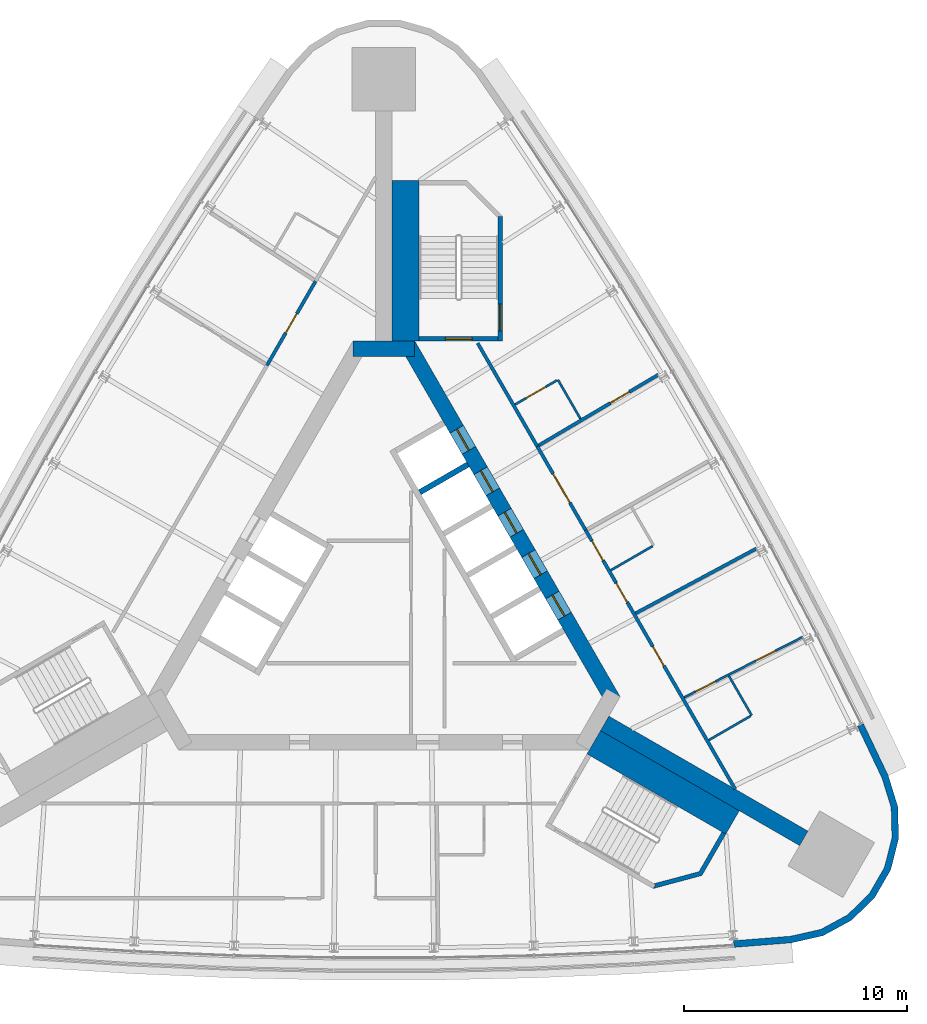
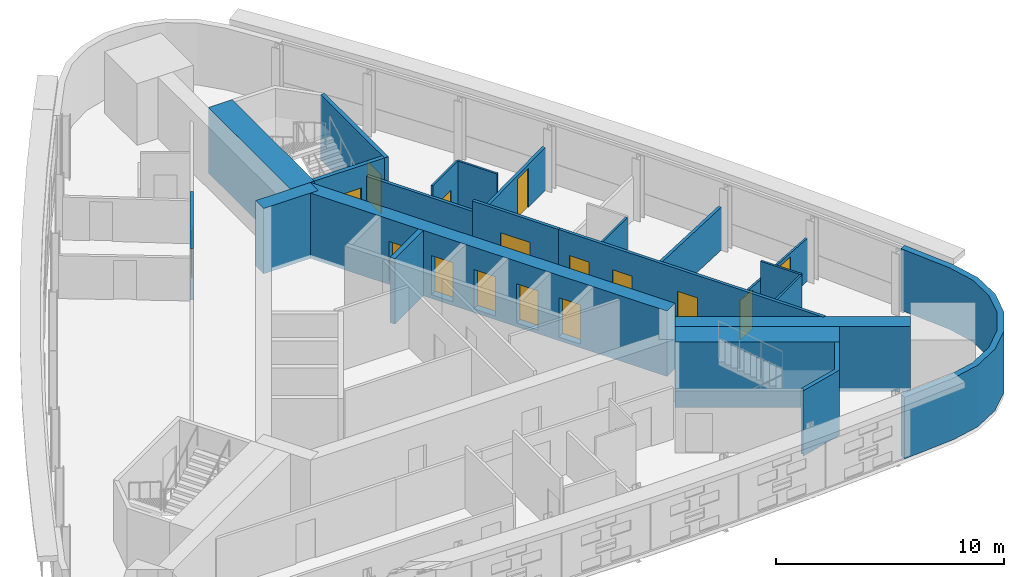
# One storey, part 9 of 12: 22 walls, 16 doors, 16 openings.
"""IFC4 building model written with IfcOpenShell, lengths in metres."""

from ifc_helpers import new_model, si_unit, direction, frame, frame_2d, origin, place, context, subcontext, project, spatial, polyline, rectangle, outline, extrude, material, layer, layer_set, type_object, element, fill, save


model = new_model("IFC4")

# Units and contexts
model_context = context("Model", 3, precision=1e-05, world=origin(), true_north=direction((0.0, 1.0)))
body_context = subcontext(model_context, "Body", "Model", "MODEL_VIEW")
ifc_project = project(units=[si_unit("LENGTHUNIT", "METRE"), si_unit("AREAUNIT", "SQUARE_METRE"), si_unit("VOLUMEUNIT", "CUBIC_METRE"), si_unit("PLANEANGLEUNIT", "RADIAN"), si_unit("MASSUNIT", "GRAM", prefix="KILO")], contexts=[model_context])

# Site, building, storey
site_placement = place(None, origin())
site = spatial("IfcSite", under=ifc_project, at=site_placement, CompositionType="ELEMENT")
building_placement = place(site_placement, origin())
building = spatial("IfcBuilding", under=site, at=building_placement, Name="Noor Cloister Tower", CompositionType="ELEMENT")
storey_placement = place(building_placement, frame((0.0, 0.0, 165.300048828125)))
storey = spatial("IfcBuildingStorey", under=building, at=storey_placement, Name="L42", CompositionType="ELEMENT", Elevation=165.300048828125)

# Wall
ifc_material_1 = material(Name="Concrete C70/85", Category="concrete")
ifc_layer_1 = layer(ifc_material_1, 0.75)
ifc_layer_set_1 = layer_set([ifc_layer_1], Name="Buttress wall 750 C70/85")
wall_type_1 = type_object("IfcWallType", Name="Buttress wall 750 C70/85", PredefinedType="SHEAR", material=ifc_layer_set_1)
wall_1_placement = place(storey_placement, frame((9.921630859375, -5.728271484375, -0.199951171875), z_axis=(0.0, 0.0, 1.0), x_axis=(0.866025410072, -0.499999989109, 0.0)))
element("IfcWall", 1, at=wall_1_placement, inside=storey, type_object=wall_type_1, Name="Buttress wall SE L42", PredefinedType="SHEAR", context=body_context, shape_type="SweptSolid", body=[
    extrude(rectangle(XDim=10.33056640625, YDim=0.75, at=frame_2d((5.165283203125, 0.0))), origin(), (0.0, 0.0, 1.0), 3.5),
])

# Wall, openings, doors
ifc_material_2 = material(Name="Concrete C70/85", Category="concrete")
ifc_layer_2 = layer(ifc_material_2, 0.699951171875)
ifc_layer_set_2 = layer_set([ifc_layer_2], Name="Core wall 700 C70/85")
wall_type_2 = type_object("IfcWallType", Name="Core wall 700 C70/85", PredefinedType="SHEAR", material=ifc_layer_set_2)
wall_2_placement = place(storey_placement, frame((10.311279296875, -4.703125, -0.199951171875), z_axis=(0.0, 0.0, 1.0), x_axis=(-0.500001446645, 0.866024568562, 0.0)))
wall_2 = element("IfcWall", 2, at=wall_2_placement, inside=storey, type_object=wall_type_2, Name="Core wall L42 3", PredefinedType="SHEAR", context=body_context, shape_type="SweptSolid", body=[
    extrude(rectangle(XDim=18.45751953125, YDim=0.699951171875, at=frame_2d((9.228759765625, 0.0))), origin(), (0.0, 0.0, 1.0), 3.5),
])
opening_1_placement = place(wall_2_placement, frame((4.378662109375, 0.0, 0.199951171875)))
opening_1 = element("IfcOpeningElement", 3, at=opening_1_placement, cuts=wall_2, Name="Opening L42-HR1", PredefinedType="OPENING", context=body_context, shape_type="SweptSolid", body=[
    extrude(rectangle(XDim=1.10009765625, YDim=2.10009765625, at=frame_2d((0.550048828125, 1.050048828125))), frame((0.0, 0.35986328125, 0.0), z_axis=(0.0, -1.0, 0.0), x_axis=(1.0, 0.0, 0.0)), (0.0, 0.0, 1.0), 0.719970703125),
])
opening_2_placement = place(wall_2_placement, frame((6.52880859375, 0.0, 0.199951171875)))
opening_2 = element("IfcOpeningElement", 4, at=opening_2_placement, cuts=wall_2, Name="Opening L42-HR2", PredefinedType="OPENING", context=body_context, shape_type="SweptSolid", body=[
    extrude(rectangle(XDim=1.10009765625, YDim=2.10009765625, at=frame_2d((0.550048828125, 1.050048828125))), frame((0.0, 0.35986328125, 0.0), z_axis=(0.0, -1.0, 0.0), x_axis=(1.0, 0.0, 0.0)), (0.0, 0.0, 1.0), 0.719970703125),
])
opening_3_placement = place(wall_2_placement, frame((8.6787109375, 0.0, 0.199951171875)))
opening_3 = element("IfcOpeningElement", 5, at=opening_3_placement, cuts=wall_2, Name="Opening L42-HR3", PredefinedType="OPENING", context=body_context, shape_type="SweptSolid", body=[
    extrude(rectangle(XDim=1.10009765625, YDim=2.10009765625, at=frame_2d((0.550048828125, 1.050048828125))), frame((0.0, 0.35986328125, 0.0), z_axis=(0.0, -1.0, 0.0), x_axis=(1.0, 0.0, 0.0)), (0.0, 0.0, 1.0), 0.719970703125),
])
opening_4_placement = place(wall_2_placement, frame((10.82861328125, 0.0, 0.199951171875)))
opening_4 = element("IfcOpeningElement", 6, at=opening_4_placement, cuts=wall_2, Name="Opening L42-HR4", PredefinedType="OPENING", context=body_context, shape_type="SweptSolid", body=[
    extrude(rectangle(XDim=1.10009765625, YDim=2.10009765625, at=frame_2d((0.550048828125, 1.050048828125))), frame((0.0, 0.35986328125, 0.0), z_axis=(0.0, -1.0, 0.0), x_axis=(1.0, 0.0, 0.0)), (0.0, 0.0, 1.0), 0.719970703125),
])
opening_5_placement = place(wall_2_placement, frame((12.978759765625, 0.0, 0.199951171875)))
opening_5 = element("IfcOpeningElement", 7, at=opening_5_placement, cuts=wall_2, Name="Opening L42-HR5", PredefinedType="OPENING", context=body_context, shape_type="SweptSolid", body=[
    extrude(rectangle(XDim=1.10009765625, YDim=2.10009765625, at=frame_2d((0.550048828125, 1.050048828125))), frame((0.0, 0.35986328125, 0.0), z_axis=(0.0, -1.0, 0.0), x_axis=(1.0, 0.0, 0.0)), (0.0, 0.0, 1.0), 0.719970703125),
])
ifc_material_3 = material(Name="Stainless steel", Category="steel")
door_type_1 = type_object("IfcDoorType", Name="Lift landing door 1100 x 2100", OperationType="DOUBLE_DOOR_SLIDING", PredefinedType="DOOR", material=ifc_material_3)
door_1_placement = place(opening_1_placement, origin())
door_1 = element("IfcDoor", 8, at=door_1_placement, inside=storey, type_object=door_type_1, Name="Landing door HR1 L42", OperationType="DOUBLE_DOOR_SLIDING", OverallHeight=2.10009765625, OverallWidth=1.10009765625, PredefinedType="DOOR", context=body_context, shape_type="SweptSolid", body=[
    extrude(rectangle(XDim=1.10009765625, YDim=2.10009765625, at=frame_2d((0.550048828125, 1.050048828125))), frame((0.0, 0.02490234375, 0.0), z_axis=(0.0, -1.0, 0.0), x_axis=(1.0, 0.0, 0.0)), (0.0, 0.0, 1.0), 0.050048828125),
])
fill(opening_1, door_1)
door_2_placement = place(opening_2_placement, origin())
door_2 = element("IfcDoor", 9, at=door_2_placement, inside=storey, type_object=door_type_1, Name="Landing door HR2 L42", OperationType="DOUBLE_DOOR_SLIDING", OverallHeight=2.10009765625, OverallWidth=1.10009765625, PredefinedType="DOOR", context=body_context, shape_type="SweptSolid", body=[
    extrude(rectangle(XDim=1.10009765625, YDim=2.10009765625, at=frame_2d((0.550048828125, 1.050048828125))), frame((0.0, 0.02490234375, 0.0), z_axis=(0.0, -1.0, 0.0), x_axis=(1.0, 0.0, 0.0)), (0.0, 0.0, 1.0), 0.050048828125),
])
fill(opening_2, door_2)
door_3_placement = place(opening_3_placement, origin())
door_3 = element("IfcDoor", 10, at=door_3_placement, inside=storey, type_object=door_type_1, Name="Landing door HR3 L42", OperationType="DOUBLE_DOOR_SLIDING", OverallHeight=2.10009765625, OverallWidth=1.10009765625, PredefinedType="DOOR", context=body_context, shape_type="SweptSolid", body=[
    extrude(rectangle(XDim=1.10009765625, YDim=2.10009765625, at=frame_2d((0.550048828125, 1.050048828125))), frame((0.0, 0.02490234375, 0.0), z_axis=(0.0, -1.0, 0.0), x_axis=(1.0, 0.0, 0.0)), (0.0, 0.0, 1.0), 0.050048828125),
])
fill(opening_3, door_3)
door_4_placement = place(opening_4_placement, origin())
door_4 = element("IfcDoor", 11, at=door_4_placement, inside=storey, type_object=door_type_1, Name="Landing door HR4 L42", OperationType="DOUBLE_DOOR_SLIDING", OverallHeight=2.10009765625, OverallWidth=1.10009765625, PredefinedType="DOOR", context=body_context, shape_type="SweptSolid", body=[
    extrude(rectangle(XDim=1.10009765625, YDim=2.10009765625, at=frame_2d((0.550048828125, 1.050048828125))), frame((0.0, 0.02490234375, 0.0), z_axis=(0.0, -1.0, 0.0), x_axis=(1.0, 0.0, 0.0)), (0.0, 0.0, 1.0), 0.050048828125),
])
fill(opening_4, door_4)
door_5_placement = place(opening_5_placement, origin())
door_5 = element("IfcDoor", 12, at=door_5_placement, inside=storey, type_object=door_type_1, Name="Landing door HR5 L42", OperationType="DOUBLE_DOOR_SLIDING", OverallHeight=2.10009765625, OverallWidth=1.10009765625, PredefinedType="DOOR", context=body_context, shape_type="SweptSolid", body=[
    extrude(rectangle(XDim=1.10009765625, YDim=2.10009765625, at=frame_2d((0.550048828125, 1.050048828125))), frame((0.0, 0.02490234375, 0.0), z_axis=(0.0, -1.0, 0.0), x_axis=(1.0, 0.0, 0.0)), (0.0, 0.0, 1.0), 0.050048828125),
])
fill(opening_5, door_5)

# Wall
wall_3_placement = place(storey_placement, frame((1.3857421875, 11.1064453125, -0.199951171875), z_axis=(0.0, 0.0, 1.0), x_axis=(-1.0, 0.0, 0.0)))
element("IfcWall", 13, at=wall_3_placement, inside=storey, type_object=wall_type_2, Name="Core wall L42 4", PredefinedType="SHEAR", context=body_context, shape_type="SweptSolid", body=[
    extrude(rectangle(XDim=2.771484375, YDim=0.699951171875, at=frame_2d((1.3857421875, 0.0))), origin(), (0.0, 0.0, 1.0), 3.5),
])

# Wall, opening, door
ifc_material_4 = material(Name="Fire-rated gypsum board partition on steel studs, 150 mm", Category="steel")
ifc_layer_3 = layer(ifc_material_4, 0.14990234375)
ifc_layer_set_3 = layer_set([ifc_layer_3], Name="Fire lobby wall 150")
wall_type_3 = type_object("IfcWallType", Name="Fire lobby wall 150", PredefinedType="PARTITIONING", material=ifc_layer_set_3)
wall_4_placement = place(storey_placement, frame((-3.06884765625, 14.140869140625, 0.0), z_axis=(0.0, 0.0, 1.0), x_axis=(-0.500015937133, -0.866016202281, 0.0)))
wall_4 = element("IfcWall", 14, at=wall_4_placement, inside=storey, type_object=wall_type_3, Name="Wall L42-W28", PredefinedType="PARTITIONING", context=body_context, shape_type="SweptSolid", body=[
    extrude(rectangle(XDim=4.368408203125, YDim=0.14990234375, at=frame_2d((2.18408203125, 0.0))), origin(), (0.0, 0.0, 1.0), 2.7470703125),
])
opening_6_placement = place(wall_4_placement, frame((1.684326171875, 0.0, 0.0)))
opening_6 = element("IfcOpeningElement", 15, at=opening_6_placement, cuts=wall_4, Name="Opening L42-016", PredefinedType="OPENING", context=body_context, shape_type="SweptSolid", body=[
    extrude(rectangle(XDim=1.0, YDim=2.10009765625, at=frame_2d((0.5, 1.050048828125))), frame((0.0, 0.0849609375, 0.0), z_axis=(0.0, -1.0, 0.0), x_axis=(1.0, 0.0, 0.0)), (0.0, 0.0, 1.0), 0.169921875),
])
ifc_material_5 = material(Name="Timber door leaf with steel frame", Category="steel")
door_type_2 = type_object("IfcDoorType", Name="Fire lobby door 1000", OperationType="NOTDEFINED", PredefinedType="DOOR", material=ifc_material_5)
door_6_placement = place(opening_6_placement, origin())
door_6 = element("IfcDoor", 16, at=door_6_placement, inside=storey, type_object=door_type_2, Name="Door L42-016", OperationType="SINGLE_SWING_RIGHT", OverallHeight=2.10009765625, OverallWidth=1.0, PredefinedType="DOOR", context=body_context, shape_type="SweptSolid", body=[
    extrude(rectangle(XDim=1.0, YDim=2.10009765625, at=frame_2d((0.5, 1.050048828125))), frame((0.0, 0.02490234375, 0.0), z_axis=(0.0, -1.0, 0.0), x_axis=(1.0, 0.0, 0.0)), (0.0, 0.0, 1.0), 0.050048828125),
])
fill(opening_6, door_6)

# Wall, openings, doors
ifc_material_6 = material(Name="Gypsum board partition on steel studs, 150 mm", Category="steel")
ifc_layer_4 = layer(ifc_material_6, 0.14990234375)
ifc_layer_set_4 = layer_set([ifc_layer_4], Name="Flat wall 150")
wall_type_4 = type_object("IfcWallType", Name="Flat wall 150", PredefinedType="PARTITIONING", material=ifc_layer_set_4)
wall_5_placement = place(storey_placement, frame((15.781982421875, -8.6787109375, 0.0), z_axis=(0.0, 0.0, 1.0), x_axis=(-0.499998343211, 0.86602636033, 0.0)))
wall_5 = element("IfcWall", 17, at=wall_5_placement, inside=storey, type_object=wall_type_4, Name="Wall L42-W01", PredefinedType="PARTITIONING", context=body_context, shape_type="SweptSolid", body=[
    extrude(rectangle(XDim=13.4306640625, YDim=0.14990234375, at=frame_2d((6.71533203125, 0.0))), origin(), (0.0, 0.0, 1.0), 3.300048828125),
])
opening_7_placement = place(wall_5_placement, frame((6.39599609375, 0.0, 0.0)))
opening_7 = element("IfcOpeningElement", 18, at=opening_7_placement, cuts=wall_5, Name="Opening L42-004", PredefinedType="OPENING", context=body_context, shape_type="SweptSolid", body=[
    extrude(rectangle(XDim=1.0, YDim=2.10009765625, at=frame_2d((0.5, 1.050048828125))), frame((0.0, 0.0849609375, 0.0), z_axis=(0.0, -1.0, 0.0), x_axis=(1.0, 0.0, 0.0)), (0.0, 0.0, 1.0), 0.169921875),
])
opening_8_placement = place(wall_5_placement, frame((11.86865234375, 0.0, 0.0)))
opening_8 = element("IfcOpeningElement", 19, at=opening_8_placement, cuts=wall_5, Name="Opening L42-005", PredefinedType="OPENING", context=body_context, shape_type="SweptSolid", body=[
    extrude(rectangle(XDim=1.0, YDim=2.10009765625, at=frame_2d((0.5, 1.050048828125))), frame((0.0, 0.0849609375, 0.0), z_axis=(0.0, -1.0, 0.0), x_axis=(1.0, 0.0, 0.0)), (0.0, 0.0, 1.0), 0.169921875),
])
opening_9_placement = place(wall_5_placement, frame((9.69140625, 0.0, 0.0)))
opening_9 = element("IfcOpeningElement", 20, at=opening_9_placement, cuts=wall_5, Name="Opening L42-006", PredefinedType="OPENING", context=body_context, shape_type="SweptSolid", body=[
    extrude(rectangle(XDim=1.0, YDim=2.10009765625, at=frame_2d((0.5, 1.050048828125))), frame((0.0, 0.0849609375, 0.0), z_axis=(0.0, -1.0, 0.0), x_axis=(1.0, 0.0, 0.0)), (0.0, 0.0, 1.0), 0.169921875),
])
ifc_material_7 = material(Name="Timber door leaf with steel frame", Category="steel")
door_type_3 = type_object("IfcDoorType", Name="Accessible WC door 1000", OperationType="NOTDEFINED", PredefinedType="DOOR", material=ifc_material_7)
door_7_placement = place(opening_8_placement, origin())
door_7 = element("IfcDoor", 21, at=door_7_placement, inside=storey, type_object=door_type_3, Name="Door L42-005", OperationType="SINGLE_SWING_LEFT", OverallHeight=2.10009765625, OverallWidth=1.0, PredefinedType="DOOR", context=body_context, shape_type="SweptSolid", body=[
    extrude(rectangle(XDim=1.0, YDim=2.10009765625, at=frame_2d((0.5, 1.050048828125))), frame((0.0, 0.02490234375, 0.0), z_axis=(0.0, -1.0, 0.0), x_axis=(1.0, 0.0, 0.0)), (0.0, 0.0, 1.0), 0.050048828125),
])
fill(opening_8, door_7)
ifc_material_8 = material(Name="Timber door leaf with steel frame", Category="steel")
door_type_4 = type_object("IfcDoorType", Name="Flat entrance door 1000", OperationType="NOTDEFINED", PredefinedType="DOOR", material=ifc_material_8)
door_8_placement = place(opening_7_placement, origin())
door_8 = element("IfcDoor", 22, at=door_8_placement, inside=storey, type_object=door_type_4, Name="Door L42-004", OperationType="SINGLE_SWING_RIGHT", OverallHeight=2.10009765625, OverallWidth=1.0, PredefinedType="DOOR", context=body_context, shape_type="SweptSolid", body=[
    extrude(rectangle(XDim=1.0, YDim=2.10009765625, at=frame_2d((0.5, 1.050048828125))), frame((0.0, 0.02490234375, 0.0), z_axis=(0.0, -1.0, 0.0), x_axis=(1.0, 0.0, 0.0)), (0.0, 0.0, 1.0), 0.050048828125),
])
fill(opening_7, door_8)
ifc_material_9 = material(Name="Timber door leaf with steel frame", Category="steel")
door_type_5 = type_object("IfcDoorType", Name="Interior door 1000 FD60", OperationType="NOTDEFINED", PredefinedType="DOOR", material=ifc_material_9)
door_9_placement = place(opening_9_placement, origin())
door_9 = element("IfcDoor", 23, at=door_9_placement, inside=storey, type_object=door_type_5, Name="Door L42-006", OperationType="SINGLE_SWING_RIGHT", OverallHeight=2.10009765625, OverallWidth=1.0, PredefinedType="DOOR", context=body_context, shape_type="SweptSolid", body=[
    extrude(rectangle(XDim=1.0, YDim=2.10009765625, at=frame_2d((0.5, 1.050048828125))), frame((0.0, 0.02490234375, 0.0), z_axis=(0.0, -1.0, 0.0), x_axis=(1.0, 0.0, 0.0)), (0.0, 0.0, 1.0), 0.050048828125),
])
fill(opening_9, door_9)

# Wall
wall_6_placement = place(storey_placement, frame((6.890380859375, 6.72216796875, 0.0), z_axis=(0.0, 0.0, 1.0), x_axis=(-0.500025224267, 0.866010840057, 0.0)))
element("IfcWall", 24, at=wall_6_placement, inside=storey, type_object=wall_type_4, Name="Wall L42-W02", PredefinedType="PARTITIONING", context=body_context, shape_type="SweptSolid", body=[
    extrude(rectangle(XDim=5.351318359375, YDim=0.14990234375, at=frame_2d((2.67578125, 0.0))), origin(), (0.0, 0.0, 1.0), 2.7470703125),
])

# Wall, opening, door
wall_7_placement = place(storey_placement, frame((12.3359375, 9.942626953125, 0.0), z_axis=(0.0, 0.0, 1.0), x_axis=(-0.860742216303, -0.509041095663, 0.0)))
wall_7 = element("IfcWall", 25, at=wall_7_placement, inside=storey, type_object=wall_type_4, Name="Wall L42-W04", PredefinedType="PARTITIONING", context=body_context, shape_type="SweptSolid", body=[
    extrude(rectangle(XDim=6.251708984375, YDim=0.14990234375, at=frame_2d((3.1259765625, 0.0))), origin(), (0.0, 0.0, 1.0), 2.296875),
])
opening_10_placement = place(wall_7_placement, frame((1.51318359375, 0.0, 0.0)))
opening_10 = element("IfcOpeningElement", 26, at=opening_10_placement, cuts=wall_7, Name="Opening L42-008", PredefinedType="OPENING", context=body_context, shape_type="SweptSolid", body=[
    extrude(rectangle(XDim=1.0, YDim=2.10009765625, at=frame_2d((0.5, 1.050048828125))), frame((0.0, 0.0849609375, 0.0), z_axis=(0.0, -1.0, 0.0), x_axis=(1.0, 0.0, 0.0)), (0.0, 0.0, 1.0), 0.169921875),
])
door_10_placement = place(opening_10_placement, origin())
door_10 = element("IfcDoor", 27, at=door_10_placement, inside=storey, type_object=door_type_4, Name="Door L42-008", OperationType="SINGLE_SWING_RIGHT", OverallHeight=2.10009765625, OverallWidth=1.0, PredefinedType="DOOR", context=body_context, shape_type="SweptSolid", body=[
    extrude(rectangle(XDim=1.0, YDim=2.10009765625, at=frame_2d((0.5, 1.050048828125))), frame((0.0, 0.02490234375, 0.0), z_axis=(0.0, -1.0, 0.0), x_axis=(1.0, 0.0, 0.0)), (0.0, 0.0, 1.0), 0.050048828125),
])
fill(opening_10, door_10)

wall_8_placement = place(storey_placement, frame((9.066650390625, 2.95263671875, 0.0), z_axis=(0.0, 0.0, 1.0), x_axis=(-0.499987877897, 0.866032402371, 0.0)))
wall_8 = element("IfcWall", 28, at=wall_8_placement, inside=storey, type_object=wall_type_4, Name="Wall L42-W05", PredefinedType="PARTITIONING", context=body_context, shape_type="SweptSolid", body=[
    extrude(rectangle(XDim=4.3525390625, YDim=0.14990234375, at=frame_2d((2.17626953125, 0.0))), origin(), (0.0, 0.0, 1.0), 3.300048828125),
])
opening_11_placement = place(wall_8_placement, frame((1.42626953125, 0.0, 0.0)))
opening_11 = element("IfcOpeningElement", 29, at=opening_11_placement, cuts=wall_8, Name="Opening L42-001", PredefinedType="OPENING", context=body_context, shape_type="SweptSolid", body=[
    extrude(rectangle(XDim=1.5, YDim=2.10009765625, at=frame_2d((0.75, 1.050048828125))), frame((0.0, 0.0849609375, 0.0), z_axis=(0.0, -1.0, 0.0), x_axis=(1.0, 0.0, 0.0)), (0.0, 0.0, 1.0), 0.169921875),
])
ifc_material_10 = material(Name="Timber door leaf with steel frame", Category="steel")
door_type_6 = type_object("IfcDoorType", Name="Double door 1500 FD60", OperationType="NOTDEFINED", PredefinedType="DOOR", material=ifc_material_10)
door_11_placement = place(opening_11_placement, origin())
door_11 = element("IfcDoor", 30, at=door_11_placement, inside=storey, type_object=door_type_6, Name="Door L42-001", OperationType="DOUBLE_DOOR_SINGLE_SWING", OverallHeight=2.10009765625, OverallWidth=1.5, PredefinedType="DOOR", context=body_context, shape_type="SweptSolid", body=[
    extrude(rectangle(XDim=1.5, YDim=2.10009765625, at=frame_2d((0.75, 1.050048828125))), frame((0.0, 0.02490234375, 0.0), z_axis=(0.0, -1.0, 0.0), x_axis=(1.0, 0.0, 0.0)), (0.0, 0.0, 1.0), 0.050048828125),
])
fill(opening_11, door_11)

# Walls
wall_9_placement = place(storey_placement, frame((16.74658203125, 2.132080078125, 0.0), z_axis=(0.0, 0.0, 1.0), x_axis=(-0.881303399969, -0.472550862028, 0.0)))
element("IfcWall", 31, at=wall_9_placement, inside=storey, type_object=wall_type_4, Name="Wall L42-W09", PredefinedType="PARTITIONING", context=body_context, shape_type="SweptSolid", body=[
    extrude(rectangle(XDim=6.168701171875, YDim=0.14990234375, at=frame_2d((3.08447265625, 0.0))), origin(), (0.0, 0.0, 1.0), 2.296875),
])
ifc_material_11 = material(Name="Limestone", Category="masonry")
ifc_layer_5 = layer(ifc_material_11, 0.300048828125)
ifc_layer_set_5 = layer_set([ifc_layer_5], Name="Limestone cladding 300")
wall_type_5 = type_object("IfcWallType", Name="Limestone cladding 300", PredefinedType="NOTDEFINED", material=ifc_layer_set_5)
wall_10_placement = place(storey_placement, origin())
element("IfcWall", 32, at=wall_10_placement, inside=storey, type_object=wall_type_5, Name="Limestone pier cladding L42 2.1", PredefinedType="NOTDEFINED", context=body_context, shape_type="SweptSolid", body=[
    extrude(outline(polyline([(15.73583984375, -15.79345703125), (18.326904296875, -15.58740234375), (19.739013671875, -15.267333984375), (21.011474609375, -14.576171875), (22.048583984375, -13.565673828125), (22.772705078125, -12.311767578125), (23.129150390625, -10.908447265625), (23.091552734375, -9.4609375), (22.66259765625, -8.077880859375), (21.54541015625, -5.73095703125), (21.274658203125, -5.85986328125), (22.38232421875, -8.187255859375), (22.792724609375, -9.510009765625), (22.828125, -10.874755859375), (22.491943359375, -12.19775390625), (21.8095703125, -13.3798828125), (20.831787109375, -14.33251953125), (19.63232421875, -14.984130859375), (18.281494140625, -15.2900390625), (15.712158203125, -15.494384765625), (15.73583984375, -15.79345703125)])), origin(), (0.0, 0.0, 1.0), 3.300048828125),
])

# Wall, openings, doors
ifc_material_12 = material(Name="Gypsum board partition on steel studs, 100 mm", Category="steel")
ifc_layer_6 = layer(ifc_material_12, 0.10009765625)
ifc_layer_set_6 = layer_set([ifc_layer_6], Name="Partition 100")
wall_type_6 = type_object("IfcWallType", Name="Partition 100", PredefinedType="PARTITIONING", material=ifc_layer_set_6)
wall_11_placement = place(storey_placement, frame((18.828369140625, -1.8408203125, 0.0), z_axis=(0.0, 0.0, 1.0), x_axis=(-0.891018968873, -0.453966074842, 0.0)))
wall_11 = element("IfcWall", 33, at=wall_11_placement, inside=storey, type_object=wall_type_6, Name="Wall L42-W06", PredefinedType="PARTITIONING", context=body_context, shape_type="SweptSolid", body=[
    extrude(rectangle(XDim=5.990478515625, YDim=0.10009765625, at=frame_2d((2.9951171875, 0.0))), origin(), (0.0, 0.0, 1.0), 2.296875),
])
opening_12_placement = place(wall_11_placement, frame((1.381103515625, 0.0, 0.0)))
opening_12 = element("IfcOpeningElement", 34, at=opening_12_placement, cuts=wall_11, Name="Opening L42-002", PredefinedType="OPENING", context=body_context, shape_type="SweptSolid", body=[
    extrude(rectangle(XDim=1.0, YDim=2.10009765625, at=frame_2d((0.5, 1.050048828125))), frame((0.0, 0.06005859375, 0.0), z_axis=(0.0, -1.0, 0.0), x_axis=(1.0, 0.0, 0.0)), (0.0, 0.0, 1.0), 0.1201171875),
])
opening_13_placement = place(wall_11_placement, frame((4.413818359375, 0.0, 0.0)))
opening_13 = element("IfcOpeningElement", 35, at=opening_13_placement, cuts=wall_11, Name="Opening L42-003", PredefinedType="OPENING", context=body_context, shape_type="SweptSolid", body=[
    extrude(rectangle(XDim=1.0, YDim=2.10009765625, at=frame_2d((0.5, 1.050048828125))), frame((0.0, 0.06005859375, 0.0), z_axis=(0.0, -1.0, 0.0), x_axis=(1.0, 0.0, 0.0)), (0.0, 0.0, 1.0), 0.1201171875),
])
ifc_material_13 = material(Name="Timber door leaf with steel frame", Category="steel")
door_type_7 = type_object("IfcDoorType", Name="Interior door 1000", OperationType="NOTDEFINED", PredefinedType="DOOR", material=ifc_material_13)
door_12_placement = place(opening_12_placement, origin())
door_12 = element("IfcDoor", 36, at=door_12_placement, inside=storey, type_object=door_type_7, Name="Door L42-002", OperationType="SINGLE_SWING_RIGHT", OverallHeight=2.10009765625, OverallWidth=1.0, PredefinedType="DOOR", context=body_context, shape_type="SweptSolid", body=[
    extrude(rectangle(XDim=1.0, YDim=2.10009765625, at=frame_2d((0.5, 1.050048828125))), frame((0.0, 0.02490234375, 0.0), z_axis=(0.0, -1.0, 0.0), x_axis=(1.0, 0.0, 0.0)), (0.0, 0.0, 1.0), 0.050048828125),
])
fill(opening_12, door_12)
door_13_placement = place(opening_13_placement, origin())
door_13 = element("IfcDoor", 37, at=door_13_placement, inside=storey, type_object=door_type_7, Name="Door L42-003", OperationType="SINGLE_SWING_LEFT", OverallHeight=2.10009765625, OverallWidth=1.0, PredefinedType="DOOR", context=body_context, shape_type="SweptSolid", body=[
    extrude(rectangle(XDim=1.0, YDim=2.10009765625, at=frame_2d((0.5, 1.050048828125))), frame((0.0, 0.02490234375, 0.0), z_axis=(0.0, -1.0, 0.0), x_axis=(1.0, 0.0, 0.0)), (0.0, 0.0, 1.0), 0.050048828125),
])
fill(opening_13, door_13)

# Walls
wall_12_placement = place(storey_placement, frame((15.5009765625, -3.59228515625, 0.0), z_axis=(0.0, 0.0, 1.0), x_axis=(0.500097020274, -0.865969381856, 0.0)))
element("IfcWall", 38, at=wall_12_placement, inside=storey, type_object=wall_type_6, Name="Wall L42-W07", PredefinedType="PARTITIONING", context=body_context, shape_type="SweptSolid", body=[
    extrude(rectangle(XDim=2.0498046875, YDim=0.10009765625, at=frame_2d((1.02490234375, 0.0))), origin(), (0.0, 0.0, 1.0), 3.300048828125),
])
for number, where, z_axis, x_axis, name in (
    (39, (16.482666015625, -5.392578125, 0.0), (0.0, 0.0, 1.0), (-0.866037911478, -0.499978335414, 0.0), "Wall L42-W08"),
    (40, (12.0771484375, 2.238037109375, 0.0), (0.0, 0.0, 1.0), (-0.866037911478, -0.499978335414, 0.0), "Wall L42-W11"),
):
    element("IfcWall", number, at=place(storey_placement, frame(where, z_axis=z_axis, x_axis=x_axis)), inside=storey, type_object=wall_type_6, Name=name, PredefinedType="PARTITIONING", context=body_context, shape_type="SweptSolid", body=[
        extrude(rectangle(XDim=2.1748046875, YDim=0.10009765625, at=frame_2d((1.08740234375, 0.0))), origin(), (0.0, 0.0, 1.0), 3.300048828125),
    ])
wall_13_placement = place(storey_placement, frame((8.83251953125, 7.957763671875, 0.0), z_axis=(0.0, 0.0, 1.0), x_axis=(-0.499938124251, 0.866061124818, 0.0)))
element("IfcWall", 41, at=wall_13_placement, inside=storey, type_object=wall_type_6, Name="Wall L42-W12", PredefinedType="PARTITIONING", context=body_context, shape_type="SweptSolid", body=[
    extrude(rectangle(XDim=2.025146484375, YDim=0.10009765625, at=frame_2d((1.0126953125, 0.0))), origin(), (0.0, 0.0, 1.0), 3.300048828125),
])

# Wall, opening, door
wall_14_placement = place(storey_placement, frame((7.77685546875, 9.6865234375, 0.0), z_axis=(0.0, 0.0, 1.0), x_axis=(-0.866037911478, -0.499978335414, 0.0)))
wall_14 = element("IfcWall", 42, at=wall_14_placement, inside=storey, type_object=wall_type_6, Name="Wall L42-W13", PredefinedType="PARTITIONING", context=body_context, shape_type="SweptSolid", body=[
    extrude(rectangle(XDim=2.1748046875, YDim=0.10009765625, at=frame_2d((1.08740234375, 0.0))), origin(), (0.0, 0.0, 1.0), 3.300048828125),
])
opening_14_placement = place(wall_14_placement, frame((0.60009765625, 0.0, 0.0)))
opening_14 = element("IfcOpeningElement", 43, at=opening_14_placement, cuts=wall_14, Name="Opening L42-007", PredefinedType="OPENING", context=body_context, shape_type="SweptSolid", body=[
    extrude(rectangle(XDim=1.0, YDim=2.10009765625, at=frame_2d((0.5, 1.050048828125))), frame((0.0, 0.06005859375, 0.0), z_axis=(0.0, -1.0, 0.0), x_axis=(1.0, 0.0, 0.0)), (0.0, 0.0, 1.0), 0.1201171875),
])
door_14_placement = place(opening_14_placement, origin())
door_14 = element("IfcDoor", 44, at=door_14_placement, inside=storey, type_object=door_type_7, Name="Door L42-007", OperationType="SINGLE_SWING_LEFT", OverallHeight=2.10009765625, OverallWidth=1.0, PredefinedType="DOOR", context=body_context, shape_type="SweptSolid", body=[
    extrude(rectangle(XDim=1.0, YDim=2.10009765625, at=frame_2d((0.5, 1.050048828125))), frame((0.0, 0.02490234375, 0.0), z_axis=(0.0, -1.0, 0.0), x_axis=(1.0, 0.0, 0.0)), (0.0, 0.0, 1.0), 0.050048828125),
])
fill(opening_14, door_14)

# Walls
ifc_material_14 = material(Name="Concrete C70/85", Category="concrete")
ifc_layer_7 = layer(ifc_material_14, 0.25)
ifc_layer_set_7 = layer_set([ifc_layer_7], Name="Shaft wall 250 C70/85")
wall_type_7 = type_object("IfcWallType", Name="Shaft wall 250 C70/85", PredefinedType="PARTITIONING", material=ifc_layer_set_7)
wall_15_placement = place(storey_placement, frame((3.78125, 5.906982421875, -0.199951171875), z_axis=(0.0, 0.0, 1.0), x_axis=(-0.866022959057, -0.500004234368, 0.0)))
element("IfcWall", 45, at=wall_15_placement, inside=storey, type_object=wall_type_7, Name="Lift shaft wall L42 NE 5", PredefinedType="PARTITIONING", context=body_context, shape_type="SweptSolid", body=[
    extrude(rectangle(XDim=2.5, YDim=0.25, at=frame_2d((1.25, 0.0))), origin(), (0.0, 0.0, 1.0), 3.5),
])
ifc_material_15 = material(Name="Concrete C70/85", Category="concrete")
ifc_layer_8 = layer(ifc_material_15, 1.2109375)
ifc_layer_set_8 = layer_set([ifc_layer_8], Name="Stair enclosure wall 1211 C70/85")
wall_type_8 = type_object("IfcWallType", Name="Stair enclosure wall 1211 C70/85", PredefinedType="SHEAR", material=ifc_layer_set_8)
wall_16_placement = place(storey_placement, frame((0.980224609375, 11.456298828125, -0.199951171875), z_axis=(0.0, 0.0, 1.0), x_axis=(0.0, 1.0, 0.0)))
element("IfcWall", 46, at=wall_16_placement, inside=storey, type_object=wall_type_8, Name="Stair enclosure wall ST1 L42 riser side", PredefinedType="SHEAR", context=body_context, shape_type="SweptSolid", body=[
    extrude(rectangle(XDim=7.2001953125, YDim=1.210693359375, at=frame_2d((3.60009765625, 0.0))), origin(), (0.0, 0.0, 1.0), 3.5),
])
wall_17_placement = place(storey_placement, frame((9.431396484375, -6.5771484375, -0.199951171875), z_axis=(0.0, 0.0, 1.0), x_axis=(0.866018442252, -0.500012057535, 0.0)))
element("IfcWall", 47, at=wall_17_placement, inside=storey, type_object=wall_type_8, Name="Stair enclosure wall ST3 L42 riser side", PredefinedType="SHEAR", context=body_context, shape_type="SweptSolid", body=[
    extrude(rectangle(XDim=7.199951171875, YDim=1.210693359375, at=frame_2d((3.60009765625, 0.0))), origin(), (0.0, 0.0, 1.0), 3.5),
])

# Wall, opening, door
ifc_material_16 = material(Name="Concrete C70/85", Category="concrete")
ifc_layer_9 = layer(ifc_material_16, 0.199951171875)
ifc_layer_set_9 = layer_set([ifc_layer_9], Name="Stair enclosure wall 200 C70/85")
wall_type_9 = type_object("IfcWallType", Name="Stair enclosure wall 200 C70/85", PredefinedType="SHEAR", material=ifc_layer_set_9)
wall_18_placement = place(storey_placement, frame((5.135498046875, 11.556396484375, -0.199951171875), z_axis=(0.0, 0.0, 1.0), x_axis=(-1.0, 0.0, 0.0)))
wall_18 = element("IfcWall", 48, at=wall_18_placement, inside=storey, type_object=wall_type_9, Name="Stair enclosure wall ST1 L42 near end", PredefinedType="SHEAR", context=body_context, shape_type="SweptSolid", body=[
    extrude(rectangle(XDim=3.5498046875, YDim=0.199951171875, at=frame_2d((1.77490234375, 0.0))), origin(), (0.0, 0.0, 1.0), 3.5),
])
opening_15_placement = place(wall_18_placement, frame((1.175048828125, 0.0, 0.199951171875)))
opening_15 = element("IfcOpeningElement", 49, at=opening_15_placement, cuts=wall_18, Name="Opening L42-ST1L", PredefinedType="OPENING", context=body_context, shape_type="SweptSolid", body=[
    extrude(rectangle(XDim=1.199951171875, YDim=2.10009765625, at=frame_2d((0.60009765625, 1.050048828125))), frame((0.0, 0.10986328125, 0.0), z_axis=(0.0, -1.0, 0.0), x_axis=(1.0, 0.0, 0.0)), (0.0, 0.0, 1.0), 0.219970703125),
])
ifc_material_17 = material(Name="Steel", Category="steel")
door_type_8 = type_object("IfcDoorType", Name="Stair door 1200 x 2100 FD120", OperationType="SINGLE_SWING_LEFT", PredefinedType="DOOR", material=ifc_material_17)
door_15_placement = place(opening_15_placement, origin())
door_15 = element("IfcDoor", 50, at=door_15_placement, inside=storey, type_object=door_type_8, Name="Stair door ST1 L42", OperationType="SINGLE_SWING_RIGHT", OverallHeight=2.10009765625, OverallWidth=1.199951171875, PredefinedType="DOOR", context=body_context, shape_type="SweptSolid", body=[
    extrude(rectangle(XDim=1.199951171875, YDim=2.10009765625, at=frame_2d((0.60009765625, 1.050048828125))), frame((0.0, 0.02490234375, 0.0), z_axis=(0.0, -1.0, 0.0), x_axis=(1.0, 0.0, 0.0)), (0.0, 0.0, 1.0), 0.050048828125),
])
fill(opening_15, door_15)

wall_19_placement = place(storey_placement, frame((5.235595703125, 11.456298828125, -0.199951171875), z_axis=(0.0, 0.0, 1.0), x_axis=(0.0, 1.0, 0.0)))
wall_19 = element("IfcWall", 51, at=wall_19_placement, inside=storey, type_object=wall_type_9, Name="Stair enclosure wall ST1 L42 outer side", PredefinedType="SHEAR", context=body_context, shape_type="SweptSolid", body=[
    extrude(rectangle(XDim=5.60009765625, YDim=0.199951171875, at=frame_2d((2.800048828125, 0.0))), origin(), (0.0, 0.0, 1.0), 3.5),
])
opening_16_placement = place(wall_19_placement, frame((0.449951171875, 0.0, 0.199951171875)))
opening_16 = element("IfcOpeningElement", 52, at=opening_16_placement, cuts=wall_19, Name="Opening L42-ST1C", PredefinedType="OPENING", context=body_context, shape_type="SweptSolid", body=[
    extrude(rectangle(XDim=1.199951171875, YDim=2.10009765625, at=frame_2d((0.60009765625, 1.050048828125))), frame((0.0, 0.10986328125, 0.0), z_axis=(0.0, -1.0, 0.0), x_axis=(1.0, 0.0, 0.0)), (0.0, 0.0, 1.0), 0.219970703125),
])
door_16_placement = place(opening_16_placement, origin())
door_16 = element("IfcDoor", 53, at=door_16_placement, inside=storey, type_object=door_type_8, Name="Stair door ST1 L42", OperationType="SINGLE_SWING_LEFT", OverallHeight=2.10009765625, OverallWidth=1.199951171875, PredefinedType="DOOR", context=body_context, shape_type="SweptSolid", body=[
    extrude(rectangle(XDim=1.199951171875, YDim=2.10009765625, at=frame_2d((0.60009765625, 1.050048828125))), frame((0.0, 0.02490234375, 0.0), z_axis=(0.0, -1.0, 0.0), x_axis=(1.0, 0.0, 0.0)), (0.0, 0.0, 1.0), 0.050048828125),
])
fill(opening_16, door_16)

# Wall
ifc_material_18 = material(Name="Concrete C70/85", Category="concrete")
wall_type_10 = type_object("IfcWallType", Name="Stair far end wall C70/85", PredefinedType="SHEAR", material=ifc_material_18)
wall_20_placement = place(storey_placement, frame((0.0, 0.0, -0.199951171875)))
element("IfcWall", 54, at=wall_20_placement, inside=storey, type_object=wall_type_10, Name="Stair enclosure wall ST3 L42 far end", PredefinedType="SHEAR", context=body_context, shape_type="SweptSolid", body=[
    extrude(outline(polyline([(12.103515625, -13.14892578125), (14.2890625, -12.5634765625), (15.364013671875, -10.701416015625), (15.19091796875, -10.601318359375), (14.1572265625, -12.3916015625), (12.131591796875, -12.934326171875), (12.20361328125, -12.975830078125), (12.20361328125, -12.975830078125), (12.20361328125, -12.975830078125), (12.20361328125, -12.975830078125), (12.20361328125, -12.975830078125), (12.20361328125, -12.975830078125), (12.20361328125, -12.975830078125), (12.20361328125, -12.975830078125), (12.20361328125, -12.975830078125), (12.20361328125, -12.975830078125), (12.20361328125, -12.975830078125), (12.20361328125, -12.975830078125), (12.20361328125, -12.975830078125), (12.20361328125, -12.975830078125), (12.20361328125, -12.975830078125), (12.20361328125, -12.975830078125), (12.20361328125, -12.975830078125), (12.103515625, -13.14892578125)])), origin(), (0.0, 0.0, 1.0), 3.5),
])

save(model, "model.ifc")
